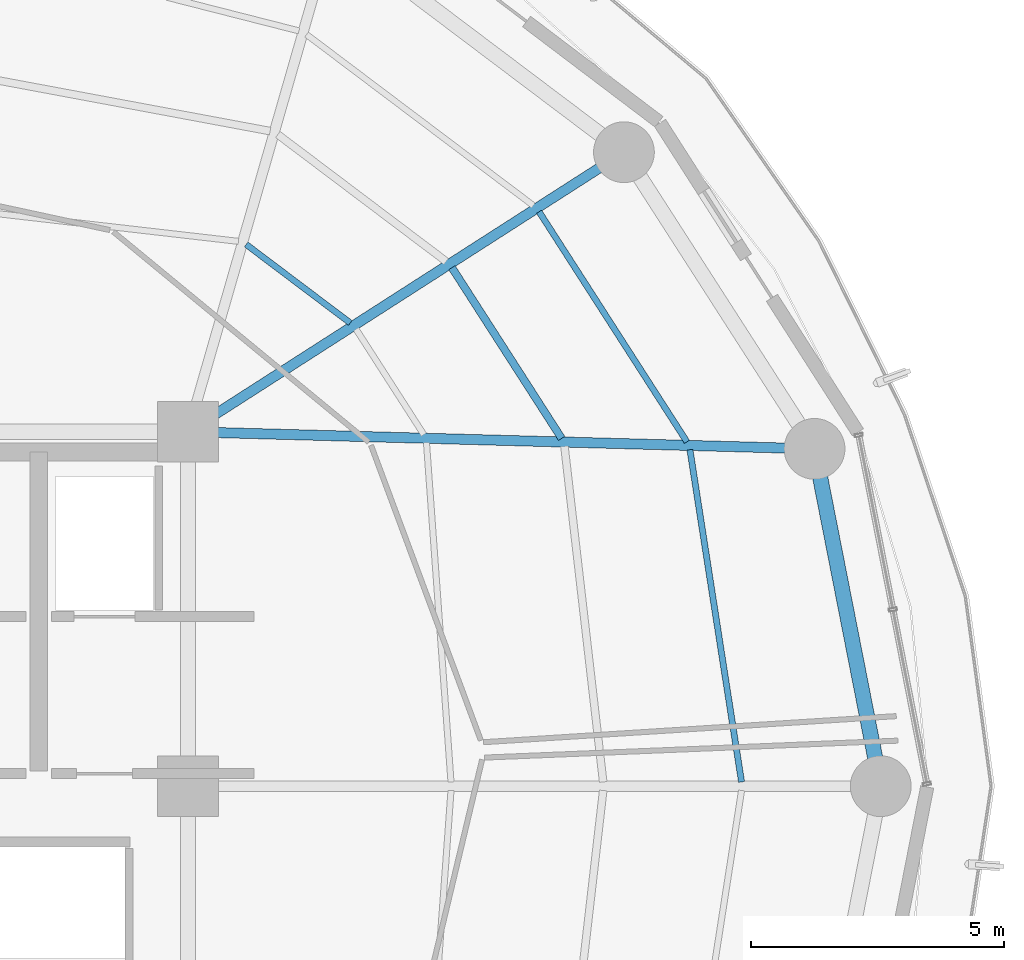
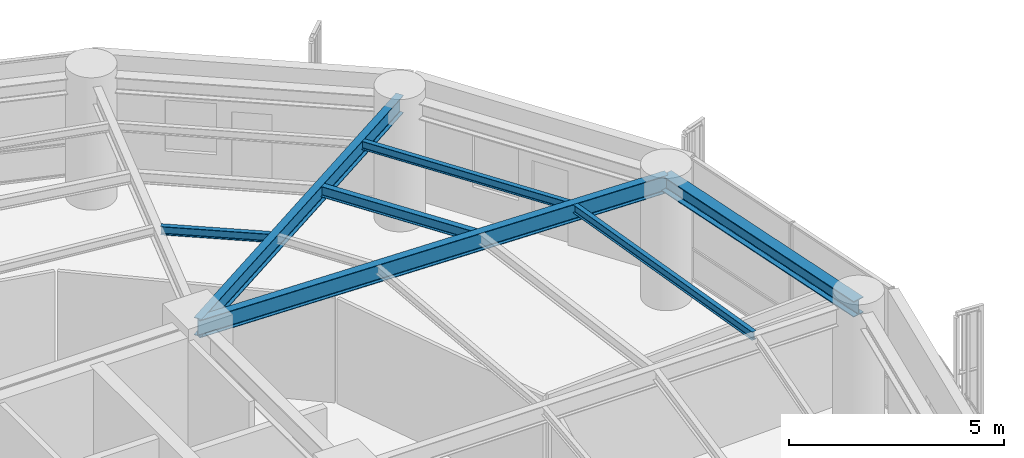
# One storey, part 14 of 28: 7 beams.
"""IFC4 building model written with IfcOpenShell, lengths in metres."""

from ifc_helpers import new_model, si_unit, direction, frame, origin, origin_2d, place, context, subcontext, project, spatial, i_section, extrude, material, material_profile, profile_set, type_object, element, save


model = new_model("IFC4")

# Units and contexts
model_context = context("Model", 3, precision=1e-05, world=origin(), true_north=direction((0.0, 1.0)))
body_context = subcontext(model_context, "Body", "Model", "MODEL_VIEW")
ifc_project = project(units=[si_unit("LENGTHUNIT", "METRE"), si_unit("AREAUNIT", "SQUARE_METRE"), si_unit("VOLUMEUNIT", "CUBIC_METRE"), si_unit("PLANEANGLEUNIT", "RADIAN"), si_unit("MASSUNIT", "GRAM", prefix="KILO")], contexts=[model_context])

# Site, building, storey
site_placement = place(None, origin())
site = spatial("IfcSite", under=ifc_project, at=site_placement, CompositionType="ELEMENT")
building_placement = place(site_placement, origin())
building = spatial("IfcBuilding", under=site, at=building_placement, Name="Kelanora Arch Commons", CompositionType="ELEMENT")
storey_placement = place(building_placement, frame((0.0, 0.0, 161.85009765625)))
storey = spatial("IfcBuildingStorey", under=building, at=storey_placement, Name="L41", CompositionType="ELEMENT", Elevation=161.85009765625)

# Beams
ifc_material = material(Name="Steel S355", Category="steel")
ifc_material_profile_1 = material_profile(ifc_material, i_section(OverallWidth=0.14990234375, OverallDepth=0.300048828125, WebThickness=0.007080078125, FlangeThickness=0.0107421875, FilletRadius=0.014892578125, at=origin_2d()), Name="IPE300")
ifc_profile_set_1 = profile_set([ifc_material_profile_1], Name="Steel S355")
beam_type_1 = type_object("IfcBeamType", Name="BM-JST-01", PredefinedType="JOIST", material=ifc_profile_set_1)
beam_1_placement = place(storey_placement, frame((89.377685546875, 64.869140625, 3.33984375), z_axis=(-0.540594434398, 0.841283339606, 0.0), x_axis=(-0.841283339606, -0.540594434398, 0.0)))
element("IfcBeam", 1, at=beam_1_placement, inside=storey, type_object=beam_type_1, Name="Secondary Chord Joist BJB-02 L41", PredefinedType="JOIST", context=body_context, shape_type="SweptSolid", body=[
    extrude(i_section(OverallWidth=0.14990234375, OverallDepth=0.300048828125, WebThickness=0.007080078125, FlangeThickness=0.0107421875, FilletRadius=0.014892578125, at=origin_2d()), origin(), (0.0, 0.0, 1.0), 4.008544921875),
])
ifc_material_profile_2 = material_profile(ifc_material, i_section(OverallWidth=0.1201171875, OverallDepth=0.239990234375, WebThickness=0.006103515625, FlangeThickness=0.009765625, FilletRadius=0.014892578125, at=origin_2d()), Name="IPE240")
ifc_profile_set_2 = profile_set([ifc_material_profile_2], Name="Steel S355")
beam_type_2 = type_object("IfcBeamType", Name="BM-JST-02", PredefinedType="JOIST", material=ifc_profile_set_2)
beam_2_placement = place(storey_placement, frame((92.930908203125, 58.083984375, 3.369873046875), z_axis=(-0.153562625853, 0.988138917329, 0.0), x_axis=(-0.988138917329, -0.153562625853, 0.0)))
element("IfcBeam", 2, at=beam_2_placement, inside=storey, type_object=beam_type_2, Name="Secondary Chord Joist BJC-00 L41", PredefinedType="JOIST", context=body_context, shape_type="SweptSolid", body=[
    extrude(i_section(OverallWidth=0.1201171875, OverallDepth=0.239990234375, WebThickness=0.006103515625, FlangeThickness=0.009765625, FilletRadius=0.014892578125, at=origin_2d()), origin(), (0.0, 0.0, 1.0), 6.640869140625),
])
beam_3_placement = place(storey_placement, frame((91.85205078125, 64.801513671875, 3.369873046875), z_axis=(-0.540581678156, 0.841291536414, 0.0), x_axis=(-0.841291536414, -0.540581678156, 0.0)))
element("IfcBeam", 3, at=beam_3_placement, inside=storey, type_object=beam_type_2, Name="Secondary Chord Joist BJC-02 L41", PredefinedType="JOIST", context=body_context, shape_type="SweptSolid", body=[
    extrude(i_section(OverallWidth=0.1201171875, OverallDepth=0.239990234375, WebThickness=0.006103515625, FlangeThickness=0.009765625, FilletRadius=0.014892578125, at=origin_2d()), origin(), (0.0, 0.0, 1.0), 5.4013671875),
])
beam_4_placement = place(storey_placement, frame((85.203125, 67.1494140625, 3.369873046875), z_axis=(-0.798484118859, 0.602015873487, 0.0), x_axis=(-0.602015873487, -0.798484118859, 0.0)))
element("IfcBeam", 4, at=beam_4_placement, inside=storey, type_object=beam_type_2, Name="Secondary Chord Joist BJA-04 L41", PredefinedType="JOIST", context=body_context, shape_type="SweptSolid", body=[
    extrude(i_section(OverallWidth=0.1201171875, OverallDepth=0.239990234375, WebThickness=0.006103515625, FlangeThickness=0.009765625, FilletRadius=0.014892578125, at=origin_2d()), origin(), (0.0, 0.0, 1.0), 2.57470703125),
])
ifc_material_profile_3 = material_profile(ifc_material, i_section(OverallWidth=0.199951171875, OverallDepth=0.5, WebThickness=0.01025390625, FlangeThickness=0.01611328125, FilletRadius=0.02099609375, at=origin_2d()), Name="IPE500")
ifc_profile_set_3 = profile_set([ifc_material_profile_3], Name="Steel S355")
beam_type_3 = type_object("IfcBeamType", Name="BM-RAD-Z3", PredefinedType="BEAM", material=ifc_profile_set_3)
beam_5_placement = place(storey_placement, frame((82.0, 65.0, 3.239990234375), z_axis=(0.999628374924, -0.027260081577, 0.0), x_axis=(0.027260081577, 0.999628374924, 0.0)))
element("IfcBeam", 5, at=beam_5_placement, inside=storey, type_object=beam_type_3, Name="Radial Floor Girder BR-02 L41", PredefinedType="BEAM", context=body_context, shape_type="SweptSolid", body=[
    extrude(i_section(OverallWidth=0.199951171875, OverallDepth=0.5, WebThickness=0.01025390625, FlangeThickness=0.01611328125, FilletRadius=0.02099609375, at=origin_2d()), origin(), (0.0, 0.0, 1.0), 12.377197265625),
])
beam_6_placement = place(storey_placement, frame((82.0, 65.0, 3.239990234375), z_axis=(0.841719465748, 0.539915123868, 0.0), x_axis=(-0.539915123868, 0.841719465748, 0.0)))
element("IfcBeam", 6, at=beam_6_placement, inside=storey, type_object=beam_type_3, Name="Radial Floor Girder BR-04 L41", PredefinedType="BEAM", context=body_context, shape_type="SweptSolid", body=[
    extrude(i_section(OverallWidth=0.199951171875, OverallDepth=0.5, WebThickness=0.01025390625, FlangeThickness=0.01611328125, FilletRadius=0.02099609375, at=origin_2d()), origin(), (0.0, 0.0, 1.0), 10.2265625),
])
ifc_material_profile_4 = material_profile(ifc_material, i_section(OverallWidth=0.300048828125, OverallDepth=0.449951171875, WebThickness=0.013916015625, FlangeThickness=0.02587890625, FilletRadius=0.027099609375, at=origin_2d()), Name="HEB450")
ifc_profile_set_4 = profile_set([ifc_material_profile_4], Name="Steel S355")
beam_type_4 = type_object("IfcBeamType", Name="BM-SPN-Z3", PredefinedType="SPANDREL", material=ifc_profile_set_4)
beam_7_placement = place(storey_placement, frame((95.679931640625, 58.0, 3.264892578125), z_axis=(-0.192553643556, 0.981286448675, 0.0), x_axis=(-0.981286448675, -0.192553643556, 0.0)))
element("IfcBeam", 7, at=beam_7_placement, inside=storey, type_object=beam_type_4, Name="Perimeter Spandrel Beam BS-00 L41", PredefinedType="SPANDREL", context=body_context, shape_type="SweptSolid", body=[
    extrude(i_section(OverallWidth=0.300048828125, OverallDepth=0.449951171875, WebThickness=0.013916015625, FlangeThickness=0.02587890625, FilletRadius=0.027099609375, at=origin_2d()), origin(), (0.0, 0.0, 1.0), 6.78955078125),
])

save(model, "model.ifc")
